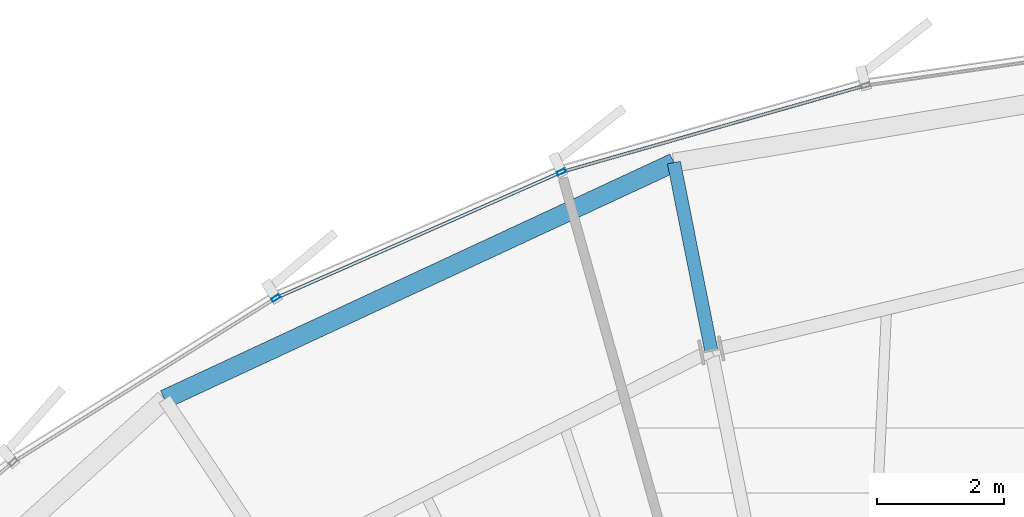
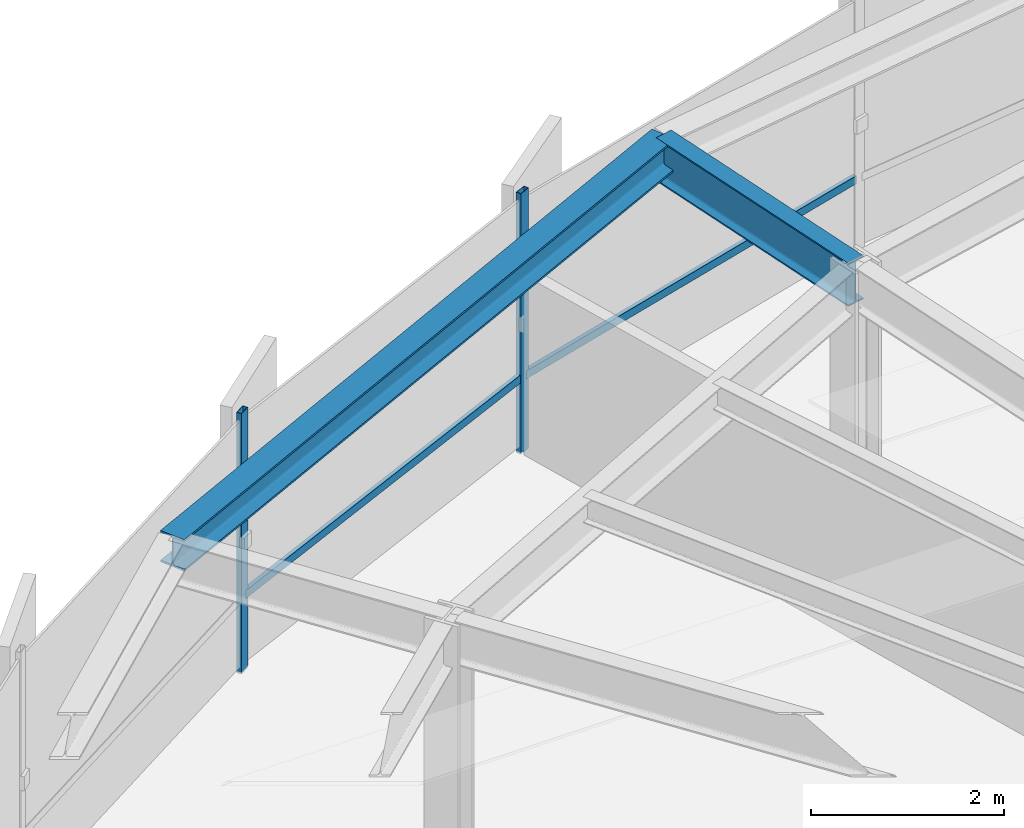
# One storey, part 21 of 35: 4 members, 2 beams, 1 element without a shape of its own.
"""IFC4 building model written with IfcOpenShell, lengths in metres."""

from ifc_helpers import new_model, si_unit, direction, frame, origin, origin_2d, place, context, subcontext, project, spatial, hollow_rectangle, i_section, extrude, source, transform, mapped, material, layer, layer_set, material_profile, profile_set, type_object, element, aggregate, save


model = new_model("IFC4")

# Units and contexts
model_context = context("Model", 3, precision=1e-05, world=origin(), true_north=direction((0.0, 1.0)))
body_context = subcontext(model_context, "Body", "Model", "MODEL_VIEW")
ifc_project = project(units=[si_unit("LENGTHUNIT", "METRE"), si_unit("AREAUNIT", "SQUARE_METRE"), si_unit("VOLUMEUNIT", "CUBIC_METRE"), si_unit("PLANEANGLEUNIT", "RADIAN"), si_unit("MASSUNIT", "GRAM", prefix="KILO"), si_unit("THERMODYNAMICTEMPERATUREUNIT", "KELVIN")], contexts=[model_context])

# Site, building, storey
site_placement = place(None, origin())
site = spatial("IfcSite", under=ifc_project, at=site_placement, CompositionType="ELEMENT")
building_placement = place(site_placement, origin())
building = spatial("IfcBuilding", under=site, at=building_placement, Name="Kethvar Cultural Tower", CompositionType="ELEMENT")
storey_placement = place(building_placement, frame((0.0, 0.0, 146.550048828125)))
storey = spatial("IfcBuildingStorey", under=building, at=storey_placement, Name="L37", CompositionType="ELEMENT", Elevation=146.550048828125)

# Beams
ifc_material_1 = material(Name="Steel S355J2", Category="steel")
ifc_material_profile_1 = material_profile(ifc_material_1, i_section(OverallWidth=0.2099609375, OverallDepth=0.550048828125, WebThickness=0.010986328125, FlangeThickness=0.01708984375, FilletRadius=0.02392578125, at=origin_2d()), Name="Steel S355J2 — IPE550")
ifc_profile_set_1 = profile_set([ifc_material_profile_1], Name="Steel S355J2 — IPE550")
beam_type_1 = type_object("IfcBeamType", Name="BM-IPE550", PredefinedType="BEAM", material=ifc_profile_set_1)
shared_shape_1 = source(origin(), body_context, "Body", "SweptSolid", [
    extrude(i_section(OverallWidth=0.2099609375, OverallDepth=0.550048828125, WebThickness=0.010986328125, FlangeThickness=0.01708984375, FilletRadius=0.02392578125, at=origin_2d()), origin(), (0.0, 0.0, 1.0), 3.025634765625),
])
beam_1_placement = place(storey_placement, frame((42.9189453125, 47.311279296875, 3.02294921875), z_axis=(-0.195107411605, 0.980781880918, 0.0), x_axis=(-0.980781880918, -0.195107411605, 0.0)))
element("IfcBeam", 1, at=beam_1_placement, inside=storey, type_object=beam_type_1, Name="L37 Perimeter Cantilever Beam RC-05", PredefinedType="BEAM", context=body_context, shape_type="MappedRepresentation", body=[
    mapped(shared_shape_1, transform((0.0, 0.0, 0.0), scale=1.0)),
])
ifc_material_profile_2 = material_profile(ifc_material_1, i_section(OverallWidth=0.300048828125, OverallDepth=0.39990234375, WebThickness=0.013427734375, FlangeThickness=0.02392578125, FilletRadius=0.027099609375, at=origin_2d()), Name="Steel S355J2 — HEB400")
ifc_profile_set_2 = profile_set([ifc_material_profile_2], Name="Steel S355J2 — HEB400")
beam_type_2 = type_object("IfcBeamType", Name="BM-SP400", PredefinedType="SPANDREL", material=ifc_profile_set_2)
shared_shape_2 = source(origin(), body_context, "Body", "SweptSolid", [
    extrude(i_section(OverallWidth=0.300048828125, OverallDepth=0.39990234375, WebThickness=0.013427734375, FlangeThickness=0.02392578125, FilletRadius=0.027099609375, at=origin_2d()), origin(), (0.0, 0.0, 1.0), 8.875732421875),
])
beam_2_placement = place(storey_placement, frame((42.32861328125, 50.27880859375, 3.097900390625), z_axis=(-0.906846803349, -0.421460407696, 0.0), x_axis=(0.421460407696, -0.906846803349, 0.0)))
element("IfcBeam", 2, at=beam_2_placement, inside=storey, type_object=beam_type_2, Name="L37 Perimeter Spandrel Beam SP-05", PredefinedType="SPANDREL", context=body_context, shape_type="MappedRepresentation", body=[
    mapped(shared_shape_2, transform((0.0, 0.0, 0.0), scale=1.0)),
])

# Curtain wall, members
ifc_material_2 = material(Name="Aluminium 6063-T6", Category="aluminium")
ifc_layer = layer(ifc_material_2, 0.179931640625, Name="Aluminium 6063-T6", Category="aluminium")
ifc_layer_set = layer_set([ifc_layer], Name="Aluminium 6063-T6 (180 mm)")
curtain_wall_type = type_object("IfcCurtainWallType", Name="CW-SYS-04-Z34", PredefinedType="NOTDEFINED", material=ifc_layer_set)
curtain_wall_placement = place(storey_placement, origin())
curtain_wall = element("IfcCurtainWall", 3, at=curtain_wall_placement, inside=storey, type_object=curtain_wall_type, Name="L37 Curtain Wall Run 02", PredefinedType="NOTDEFINED")
ifc_material_profile_3 = material_profile(ifc_material_2, hollow_rectangle(XDim=0.06005859375, YDim=0.139892578125, WallThickness=0.0048828125, at=origin_2d()), Name="Aluminium 6063-T6 — RHS140x60x5")
ifc_profile_set_3 = profile_set([ifc_material_profile_3], Name="Aluminium 6063-T6 — RHS140x60x5")
member_type_1 = type_object("IfcMemberType", Name="CW-SYS-04-Z34-MUL", PredefinedType="MULLION", material=ifc_profile_set_3)
shared_shape_3 = source(origin(), body_context, "Body", "SweptSolid", [
    extrude(hollow_rectangle(XDim=0.06005859375, YDim=0.139892578125, WallThickness=0.0048828125, at=origin_2d()), origin(), (0.0, 0.0, 1.0), 3.300048828125),
])
member_1_placement = place(storey_placement, frame((40.54931640625, 50.130126953125, 0.0), z_axis=(0.0, 0.0, 1.0), x_axis=(0.403976416115, -0.914769400025, 0.0)))
member_1 = element("IfcMember", 4, at=member_1_placement, type_object=member_type_1, Name="CW-L37-R02 Mullion 3", PredefinedType="MULLION", context=body_context, shape_type="MappedRepresentation", body=[
    mapped(shared_shape_3, transform((0.0, 0.0, 0.0), scale=1.0)),
])
member_2_placement = place(storey_placement, frame((36.03955078125, 48.1396484375, 0.0), z_axis=(0.0, 0.0, 1.0), x_axis=(0.529948866373, -0.848029597968, 0.0)))
member_2 = element("IfcMember", 5, at=member_2_placement, type_object=member_type_1, Name="CW-L37-R02 Mullion 4", PredefinedType="MULLION", context=body_context, shape_type="MappedRepresentation", body=[
    mapped(shared_shape_3, transform((0.0, 0.0, 0.0), scale=1.0)),
])
ifc_material_profile_4 = material_profile(ifc_material_2, hollow_rectangle(XDim=0.050048828125, YDim=0.10009765625, WallThickness=0.00390625, at=origin_2d()), Name="Aluminium 6063-T6 — RHS100x50x4")
ifc_profile_set_4 = profile_set([ifc_material_profile_4], Name="Aluminium 6063-T6 — RHS100x50x4")
member_type_2 = type_object("IfcMemberType", Name="CW-SYS-04-Z34-TRN", PredefinedType="USERDEFINED", material=ifc_profile_set_4)
shared_shape_4 = source(origin(), body_context, "Body", "SweptSolid", [
    extrude(hollow_rectangle(XDim=0.050048828125, YDim=0.10009765625, WallThickness=0.00390625, at=origin_2d()), origin(), (0.0, 0.0, 1.0), 4.92822265625),
])
member_3_placement = place(storey_placement, frame((45.31640625, 51.486572265625, 0.949951171875), z_axis=(-0.961757276065, -0.273903161603, 0.0), x_axis=(0.273903161603, -0.961757276065, 0.0)))
member_3 = element("IfcMember", 6, at=member_3_placement, type_object=member_type_2, Name="CW-L37-R02 Transom 2", ObjectType="TRANSOM", PredefinedType="USERDEFINED", context=body_context, shape_type="MappedRepresentation", body=[
    mapped(shared_shape_4, transform((0.0, 0.0, 0.0), scale=1.0)),
])
shared_shape_5 = source(origin(), body_context, "Body", "SweptSolid", [
    extrude(hollow_rectangle(XDim=0.050048828125, YDim=0.10009765625, WallThickness=0.00390625, at=origin_2d()), origin(), (0.0, 0.0, 1.0), 4.858642578125),
])
member_4_placement = place(storey_placement, frame((40.509765625, 50.112548828125, 0.949951171875), z_axis=(-0.914780756112, -0.403950700268, 0.0), x_axis=(0.403950700268, -0.914780756112, 0.0)))
member_4 = element("IfcMember", 7, at=member_4_placement, type_object=member_type_2, Name="CW-L37-R02 Transom 3", ObjectType="TRANSOM", PredefinedType="USERDEFINED", context=body_context, shape_type="MappedRepresentation", body=[
    mapped(shared_shape_5, transform((0.0, 0.0, 0.0), scale=1.0)),
])
aggregate(curtain_wall, [member_1, member_2, member_3, member_4])

save(model, "model.ifc")
